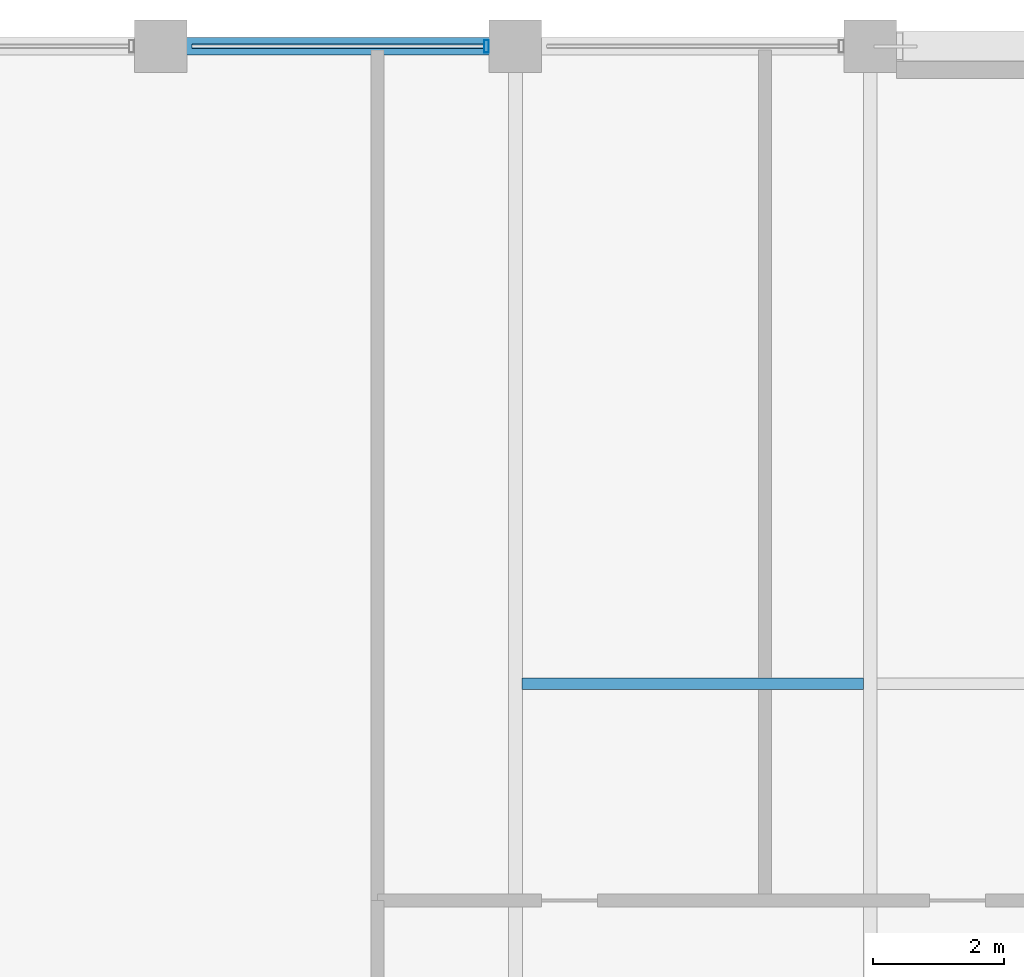
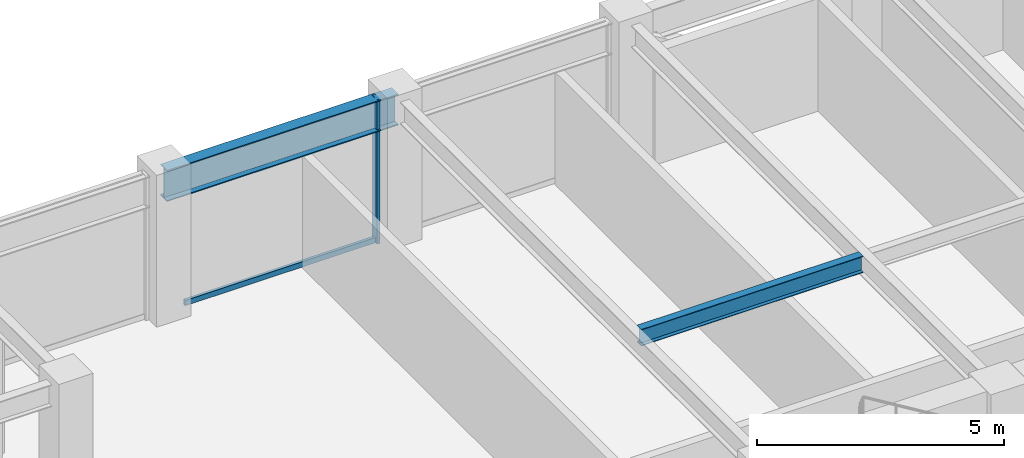
# One storey, part 19 of 32: 2 beams, 2 members, 1 element without a shape of its own.
"""IFC4 building model written with IfcOpenShell, lengths in metres."""

from ifc_helpers import new_model, si_unit, direction, frame, origin, origin_2d, place, context, subcontext, project, spatial, hollow_rectangle, i_section, extrude, material, layer, layer_set, material_profile, profile_set, type_object, element, aggregate, save


model = new_model("IFC4")

# Units and contexts
model_context = context("Model", 3, precision=1e-05, world=origin(), true_north=direction((0.0, 1.0)))
body_context = subcontext(model_context, "Body", "Model", "MODEL_VIEW")
ifc_project = project(units=[si_unit("LENGTHUNIT", "METRE"), si_unit("AREAUNIT", "SQUARE_METRE"), si_unit("VOLUMEUNIT", "CUBIC_METRE"), si_unit("PLANEANGLEUNIT", "RADIAN"), si_unit("MASSUNIT", "GRAM", prefix="KILO")], contexts=[model_context])

# Site, building, storey
site_placement = place(None, origin())
site = spatial("IfcSite", under=ifc_project, at=site_placement, CompositionType="ELEMENT")
building_placement = place(site_placement, origin())
building = spatial("IfcBuilding", under=site, at=building_placement, Name="Surkhivell Harbour Commons", CompositionType="ELEMENT")
storey_placement = place(building_placement, frame((0.0, 0.0, 216.0)))
storey = spatial("IfcBuildingStorey", under=building, at=storey_placement, Name="L56", CompositionType="ELEMENT", Elevation=216.0)

# Beams
ifc_material_1 = material(Name="Steel S355", Category="steel")
ifc_material_profile_1 = material_profile(ifc_material_1, i_section(OverallWidth=0.178955078125, OverallDepth=0.408935546875, WebThickness=0.0087890625, FlangeThickness=0.014404296875, at=origin_2d()), Name="UB406x178x67")
ifc_profile_set_1 = profile_set([ifc_material_profile_1], Name="Steel S355")
beam_type_1 = type_object("IfcBeamType", Name="BM-JST-406", PredefinedType="JOIST", material=ifc_profile_set_1)
beam_1_placement = place(storey_placement, frame((-10.696044921875, 16.199951171875, 3.365478515625), z_axis=(1.0, 0.0, 0.0), x_axis=(0.0, 1.0, 0.0)))
element("IfcBeam", 1, at=beam_1_placement, inside=storey, type_object=beam_type_1, Name="L56 North Composite Joist (-10.8)", PredefinedType="JOIST", context=body_context, shape_type="SweptSolid", body=[
    extrude(i_section(OverallWidth=0.178955078125, OverallDepth=0.408935546875, WebThickness=0.0087890625, FlangeThickness=0.014404296875, at=origin_2d()), origin(), (0.0, 0.0, 1.0), 5.192138671875),
])
ifc_material_profile_2 = material_profile(ifc_material_1, i_section(OverallWidth=0.26806640625, OverallDepth=0.77001953125, WebThickness=0.015625, FlangeThickness=0.025390625, at=origin_2d()), Name="UB762x267x197")
ifc_profile_set_2 = profile_set([ifc_material_profile_2], Name="Steel S355")
beam_type_2 = type_object("IfcBeamType", Name="BM-SPN-762", PredefinedType="SPANDREL", material=ifc_profile_set_2)
beam_2_placement = place(storey_placement, frame((-16.199951171875, 25.89990234375, 3.18505859375), z_axis=(1.0, 0.0, 0.0), x_axis=(0.0, 1.0, 0.0)))
element("IfcBeam", 2, at=beam_2_placement, inside=storey, type_object=beam_type_2, Name="L56 Tube Spandrel (-16.2,25.9)", PredefinedType="SPANDREL", context=body_context, shape_type="SweptSolid", body=[
    extrude(i_section(OverallWidth=0.26806640625, OverallDepth=0.77001953125, WebThickness=0.015625, FlangeThickness=0.025390625, at=origin_2d()), origin(), (0.0, 0.0, 1.0), 5.39990234375),
])

# Curtain wall, members
ifc_material_2 = material(Name="Anodised pale-metal aluminium and insulated glazing", Category="aluminium")
ifc_layer = layer(ifc_material_2, 0.18994140625)
ifc_layer_set = layer_set([ifc_layer], Name="Anodised pale-metal aluminium and insulated glazing")
curtain_wall_type = type_object("IfcCurtainWallType", Name="CW-SYS-Z3", PredefinedType="NOTDEFINED", material=ifc_layer_set)
curtain_wall_placement = place(storey_placement, origin())
curtain_wall = element("IfcCurtainWall", 3, at=curtain_wall_placement, inside=storey, type_object=curtain_wall_type, Name="L56 Curtain Wall CW-L56-E07S2", PredefinedType="NOTDEFINED")
ifc_material_3 = material(Name="Anodised pale-metal aluminium alloy 6063-T6", Category="aluminium")
ifc_material_profile_3 = material_profile(ifc_material_3, hollow_rectangle(XDim=0.074951171875, YDim=0.18994140625, WallThickness=0.00390625, at=origin_2d()), Name="ALU-MULL-75x190")
ifc_profile_set_3 = profile_set([ifc_material_profile_3], Name="Anodised pale-metal aluminium alloy 6063-T6")
member_type_1 = type_object("IfcMemberType", Name="CWM-190", PredefinedType="MULLION", material=ifc_profile_set_3)
member_1_placement = place(storey_placement, frame((-11.239501953125, 25.89990234375, 0.0), z_axis=(0.0, 0.0, 1.0), x_axis=(-1.0, 0.0, 0.0)))
member_1 = element("IfcMember", 4, at=member_1_placement, type_object=member_type_1, Name="CW-Z3 mullion 2", PredefinedType="MULLION", context=body_context, shape_type="SweptSolid", body=[
    extrude(hollow_rectangle(XDim=0.074951171875, YDim=0.18994140625, WallThickness=0.00390625, at=origin_2d()), origin(), (0.0, 0.0, 1.0), 3.570068359375),
])
ifc_material_4 = material(Name="Champagne anodised aluminium alloy 6063-T6", Category="aluminium")
ifc_material_profile_4 = material_profile(ifc_material_4, hollow_rectangle(XDim=0.070068359375, YDim=0.1298828125, WallThickness=0.00341796875, at=origin_2d()), Name="ALU-TRAN-70x130")
ifc_profile_set_4 = profile_set([ifc_material_profile_4], Name="Champagne anodised aluminium alloy 6063-T6")
member_type_2 = type_object("IfcMemberType", Name="CWT-130", PredefinedType="USERDEFINED", material=ifc_profile_set_4)
member_2_placement = place(storey_placement, frame((-11.277099609375, 25.89990234375, 0.06494140625), z_axis=(-1.0, 0.0, 0.0), x_axis=(0.0, -1.0, 0.0)))
member_2 = element("IfcMember", 5, at=member_2_placement, type_object=member_type_2, Name="CW-Z3 transom 2.1", ObjectType="TRANSOM", PredefinedType="USERDEFINED", context=body_context, shape_type="SweptSolid", body=[
    extrude(hollow_rectangle(XDim=0.070068359375, YDim=0.1298828125, WallThickness=0.00341796875, at=origin_2d()), origin(), (0.0, 0.0, 1.0), 4.44580078125),
])
aggregate(curtain_wall, [member_1, member_2])

save(model, "model.ifc")
